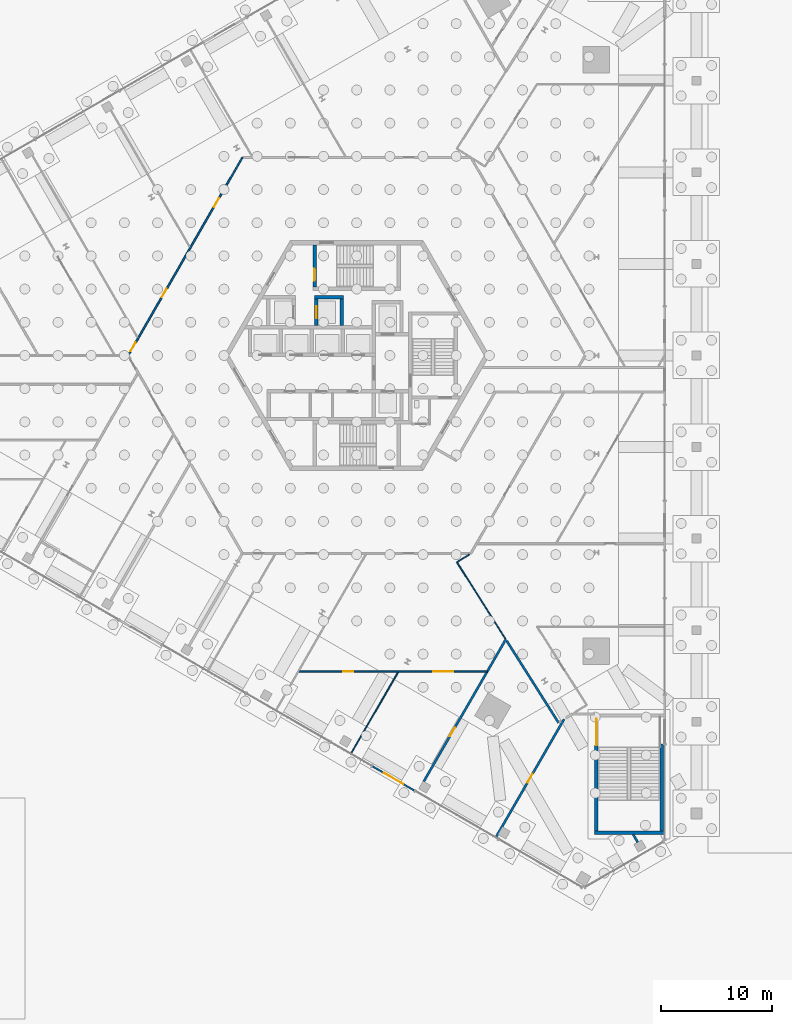
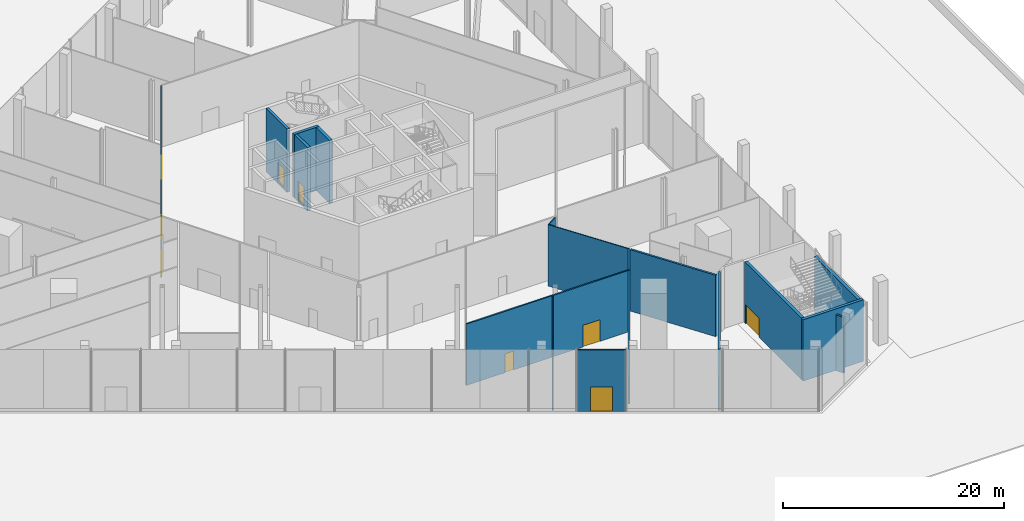
# One storey, part 18 of 27: 17 walls, 11 doors, 11 openings.
"""IFC4 building model written with IfcOpenShell, lengths in metres."""

from ifc_helpers import new_model, si_unit, direction, frame, frame_2d, origin, place, context, subcontext, project, spatial, polyline, rectangle, outline, extrude, source, transform, mapped, material, layer, layer_set, type_object, element, fill, save


model = new_model("IFC4")

# Units and contexts
model_context = context("Model", 3, precision=1e-05, world=origin(), true_north=direction((0.0, 1.0)))
body_context = subcontext(model_context, "Body", "Model", "MODEL_VIEW")
ifc_project = project(units=[si_unit("LENGTHUNIT", "METRE"), si_unit("AREAUNIT", "SQUARE_METRE"), si_unit("VOLUMEUNIT", "CUBIC_METRE"), si_unit("PLANEANGLEUNIT", "RADIAN"), si_unit("MASSUNIT", "GRAM", prefix="KILO")], contexts=[model_context])

# Site, building, storey
site_placement = place(None, origin())
site = spatial("IfcSite", under=ifc_project, at=site_placement, CompositionType="ELEMENT")
building_placement = place(site_placement, origin())
building = spatial("IfcBuilding", under=site, at=building_placement, Name="Triune Harvest Tower", CompositionType="ELEMENT")
storey_placement = place(building_placement, origin())
storey = spatial("IfcBuildingStorey", under=building, at=storey_placement, Name="L00", CompositionType="ELEMENT", Elevation=0.0)

# Wall
ifc_material_1 = material(Name="Concrete 70 MPa", Category="concrete")
ifc_layer_1 = layer(ifc_material_1, 0.300048828125)
ifc_layer_set_1 = layer_set([ifc_layer_1], Name="Concrete 70 MPa")
wall_type_1 = type_object("IfcWallType", Name="Core wall 300", PredefinedType="SHEAR", material=ifc_layer_set_1)
wall_1_placement = place(storey_placement, frame((-3.800048828125, 5.260009765625, -0.199951171875), z_axis=(0.0, 0.0, 1.0), x_axis=(1.0, 0.0, 0.0)))
element("IfcWall", 1, at=wall_1_placement, inside=storey, type_object=wall_type_1, Name="Sv2 north wall", PredefinedType="SHEAR", context=body_context, shape_type="SweptSolid", body=[
    extrude(rectangle(XDim=2.60009765625, YDim=0.300048828125, at=frame_2d((1.300048828125, 0.0))), origin(), (0.0, 0.0, 1.0), 7.0),
])

# Wall, openings, doors
ifc_material_2 = material(Name="Gypsum board on steel studs", Category="steel")
ifc_layer_2 = layer(ifc_material_2, 0.14990234375)
ifc_layer_set_2 = layer_set([ifc_layer_2], Name="Gypsum board on steel studs")
wall_type_2 = type_object("IfcWallType", Name="Fire Partition 150 mm", PredefinedType="PARTITIONING", material=ifc_layer_set_2)
wall_2_placement = place(storey_placement, frame((-5.27587890625, -28.56201171875, 0.0), z_axis=(0.0, 0.0, 1.0), x_axis=(1.0, 0.0, 0.0)))
wall_2 = element("IfcWall", 2, at=wall_2_placement, inside=storey, type_object=wall_type_2, Name="Partition L00 026", PredefinedType="PARTITIONING", context=body_context, shape_type="SweptSolid", body=[
    extrude(rectangle(XDim=17.08740234375, YDim=0.14990234375, at=frame_2d((8.543701171875, 0.0))), origin(), (0.0, 0.0, 1.0), 6.800048828125),
])
opening_1_placement = place(wall_2_placement, frame((12.2119140625, 0.0, 0.0)))
opening_1 = element("IfcOpeningElement", 3, at=opening_1_placement, cuts=wall_2, Name="Opening L00-032", PredefinedType="OPENING", context=body_context, shape_type="SweptSolid", body=[
    extrude(rectangle(XDim=1.800048828125, YDim=2.39990234375, at=frame_2d((0.89990234375, 1.199951171875))), frame((0.0, 0.0849609375, 0.0), z_axis=(0.0, -1.0, 0.0), x_axis=(1.0, 0.0, 0.0)), (0.0, 0.0, 1.0), 0.169921875),
])
opening_2_placement = place(wall_2_placement, frame((4.050048828125, 0.0, 0.0)))
opening_2 = element("IfcOpeningElement", 4, at=opening_2_placement, cuts=wall_2, Name="Opening L00-035", PredefinedType="OPENING", context=body_context, shape_type="SweptSolid", body=[
    extrude(rectangle(XDim=0.89990234375, YDim=2.10009765625, at=frame_2d((0.449951171875, 1.050048828125))), frame((0.0, 0.0849609375, 0.0), z_axis=(0.0, -1.0, 0.0), x_axis=(1.0, 0.0, 0.0)), (0.0, 0.0, 1.0), 0.169921875),
])
ifc_material_3 = material(Name="Timber and steel door set", Category="steel")
door_type_1 = type_object("IfcDoorType", Name="Double leaf door FD30 1800 x 2400", OperationType="DOUBLE_DOOR_SINGLE_SWING", PredefinedType="DOOR", material=ifc_material_3)
door_1_placement = place(opening_1_placement, origin())
door_1 = element("IfcDoor", 5, at=door_1_placement, inside=storey, type_object=door_type_1, Name="Door L00-032 Market Hall 00.33", OperationType="DOUBLE_DOOR_SINGLE_SWING", OverallHeight=2.39990234375, OverallWidth=1.800048828125, PredefinedType="DOOR", context=body_context, shape_type="SweptSolid", body=[
    extrude(rectangle(XDim=1.800048828125, YDim=2.39990234375, at=frame_2d((0.89990234375, 1.199951171875))), frame((0.0, 0.02490234375, 0.0), z_axis=(0.0, -1.0, 0.0), x_axis=(1.0, 0.0, 0.0)), (0.0, 0.0, 1.0), 0.050048828125),
])
fill(opening_1, door_1)
ifc_material_4 = material(Name="Timber and steel door set", Category="steel")
door_type_2 = type_object("IfcDoorType", Name="Single leaf door FD30 right hand 900 x 2100", OperationType="SINGLE_SWING_RIGHT", PredefinedType="DOOR", material=ifc_material_4)
door_2_placement = place(opening_2_placement, origin())
door_2 = element("IfcDoor", 6, at=door_2_placement, inside=storey, type_object=door_type_2, Name="Door L00-035 Dry Store Room 00.36", OperationType="SINGLE_SWING_RIGHT", OverallHeight=2.10009765625, OverallWidth=0.89990234375, PredefinedType="DOOR", context=body_context, shape_type="SweptSolid", body=[
    extrude(rectangle(XDim=0.89990234375, YDim=2.10009765625, at=frame_2d((0.449951171875, 1.050048828125))), frame((0.0, 0.02490234375, 0.0), z_axis=(0.0, -1.0, 0.0), x_axis=(1.0, 0.0, 0.0)), (0.0, 0.0, 1.0), 0.050048828125),
])
fill(opening_2, door_2)

wall_3_placement = place(storey_placement, frame((-20.660400390625, 0.0, 0.0), z_axis=(0.0, 0.0, 1.0), x_axis=(0.500006476997, 0.866021664256, 0.0)))
wall_3 = element("IfcWall", 7, at=wall_3_placement, inside=storey, type_object=wall_type_2, Name="Partition L00 064", PredefinedType="PARTITIONING", context=body_context, shape_type="SweptSolid", body=[
    extrude(rectangle(XDim=20.660400390625, YDim=0.14990234375, at=frame_2d((10.330078125, 0.0))), origin(), (0.0, 0.0, 1.0), 6.800048828125),
])
opening_3_placement = place(wall_3_placement, frame((15.51025390625, 0.0, 0.0)))
opening_3 = element("IfcOpeningElement", 8, at=opening_3_placement, cuts=wall_3, Name="Opening L00-016", PredefinedType="OPENING", context=body_context, shape_type="SweptSolid", body=[
    extrude(rectangle(XDim=0.89990234375, YDim=2.10009765625, at=frame_2d((0.449951171875, 1.050048828125))), frame((0.0, 0.0849609375, 0.0), z_axis=(0.0, -1.0, 0.0), x_axis=(1.0, 0.0, 0.0)), (0.0, 0.0, 1.0), 0.169921875),
])
opening_4_placement = place(wall_3_placement, frame((6.076416015625, 0.0, 0.0)))
opening_4 = element("IfcOpeningElement", 9, at=opening_4_placement, cuts=wall_3, Name="Opening L00-018", PredefinedType="OPENING", context=body_context, shape_type="SweptSolid", body=[
    extrude(rectangle(XDim=0.89990234375, YDim=2.10009765625, at=frame_2d((0.449951171875, 1.050048828125))), frame((0.0, 0.0849609375, 0.0), z_axis=(0.0, -1.0, 0.0), x_axis=(1.0, 0.0, 0.0)), (0.0, 0.0, 1.0), 0.169921875),
])
opening_5_placement = place(wall_3_placement, frame((0.4423828125, 0.0, 0.0)))
opening_5 = element("IfcOpeningElement", 10, at=opening_5_placement, cuts=wall_3, Name="Opening L00-021", PredefinedType="OPENING", context=body_context, shape_type="SweptSolid", body=[
    extrude(rectangle(XDim=0.89990234375, YDim=2.10009765625, at=frame_2d((0.449951171875, 1.050048828125))), frame((0.0, 0.0849609375, 0.0), z_axis=(0.0, -1.0, 0.0), x_axis=(1.0, 0.0, 0.0)), (0.0, 0.0, 1.0), 0.169921875),
])
ifc_material_5 = material(Name="Timber and steel door set", Category="steel")
door_type_3 = type_object("IfcDoorType", Name="Single leaf door FD30 left hand 900 x 2100", OperationType="SINGLE_SWING_LEFT", PredefinedType="DOOR", material=ifc_material_5)
door_3_placement = place(opening_4_placement, origin())
door_3 = element("IfcDoor", 11, at=door_3_placement, inside=storey, type_object=door_type_3, Name="Door L00-018 Dry Store Room 00.19", OperationType="SINGLE_SWING_LEFT", OverallHeight=2.10009765625, OverallWidth=0.89990234375, PredefinedType="DOOR", context=body_context, shape_type="SweptSolid", body=[
    extrude(rectangle(XDim=0.89990234375, YDim=2.10009765625, at=frame_2d((0.449951171875, 1.050048828125))), frame((0.0, 0.02490234375, 0.0), z_axis=(0.0, -1.0, 0.0), x_axis=(1.0, 0.0, 0.0)), (0.0, 0.0, 1.0), 0.050048828125),
])
fill(opening_4, door_3)
door_4_placement = place(opening_5_placement, origin())
door_4 = element("IfcDoor", 12, at=door_4_placement, inside=storey, type_object=door_type_3, Name="Door L00-021 Dry Store Room 00.22", OperationType="SINGLE_SWING_LEFT", OverallHeight=2.10009765625, OverallWidth=0.89990234375, PredefinedType="DOOR", context=body_context, shape_type="SweptSolid", body=[
    extrude(rectangle(XDim=0.89990234375, YDim=2.10009765625, at=frame_2d((0.449951171875, 1.050048828125))), frame((0.0, 0.02490234375, 0.0), z_axis=(0.0, -1.0, 0.0), x_axis=(1.0, 0.0, 0.0)), (0.0, 0.0, 1.0), 0.050048828125),
])
fill(opening_5, door_4)
door_5_placement = place(opening_3_placement, origin())
door_5 = element("IfcDoor", 13, at=door_5_placement, inside=storey, type_object=door_type_2, Name="Door L00-016 Dry Store Room 00.17", OperationType="SINGLE_SWING_RIGHT", OverallHeight=2.10009765625, OverallWidth=0.89990234375, PredefinedType="DOOR", context=body_context, shape_type="SweptSolid", body=[
    extrude(rectangle(XDim=0.89990234375, YDim=2.10009765625, at=frame_2d((0.449951171875, 1.050048828125))), frame((0.0, 0.02490234375, 0.0), z_axis=(0.0, -1.0, 0.0), x_axis=(1.0, 0.0, 0.0)), (0.0, 0.0, 1.0), 0.050048828125),
])
fill(opening_3, door_5)

# Wall
ifc_material_6 = material(Name="Gypsum board on steel studs", Category="steel")
ifc_layer_3 = layer(ifc_material_6, 0.199951171875)
ifc_layer_set_3 = layer_set([ifc_layer_3], Name="Gypsum board on steel studs")
wall_type_3 = type_object("IfcWallType", Name="Fire Wall 200 mm", PredefinedType="PARTITIONING", material=ifc_layer_set_3)
wall_4_placement = place(storey_placement, frame((13.5615234375, -25.796630859375, 0.0), z_axis=(0.0, 0.0, 1.0), x_axis=(0.535108395304, -0.844783407315, 0.0)))
element("IfcWall", 14, at=wall_4_placement, inside=storey, type_object=wall_type_3, Name="Partition L00 019", PredefinedType="PARTITIONING", context=body_context, shape_type="SweptSolid", body=[
    extrude(rectangle(XDim=8.766845703125, YDim=0.199951171875, at=frame_2d((4.38330078125, 0.0))), origin(), (0.0, 0.0, 1.0), 6.800048828125),
])

# Wall, opening, door
wall_5_placement = place(storey_placement, frame((12.612060546875, -43.51513671875, 0.0), z_axis=(0.0, 0.0, 1.0), x_axis=(0.500002073493, 0.866024206649, 0.0)))
wall_5 = element("IfcWall", 15, at=wall_5_placement, inside=storey, type_object=wall_type_3, Name="Partition L00 051", PredefinedType="PARTITIONING", context=body_context, shape_type="SweptSolid", body=[
    extrude(rectangle(XDim=12.26904296875, YDim=0.199951171875, at=frame_2d((6.134521484375, 0.0))), origin(), (0.0, 0.0, 1.0), 6.800048828125),
])
opening_6_placement = place(wall_5_placement, frame((5.675048828125, 0.0, 0.0)))
opening_6 = element("IfcOpeningElement", 16, at=opening_6_placement, cuts=wall_5, Name="Opening L00-038", PredefinedType="OPENING", context=body_context, shape_type="SweptSolid", body=[
    extrude(rectangle(XDim=0.89990234375, YDim=2.10009765625, at=frame_2d((0.449951171875, 1.050048828125))), frame((0.0, 0.10986328125, 0.0), z_axis=(0.0, -1.0, 0.0), x_axis=(1.0, 0.0, 0.0)), (0.0, 0.0, 1.0), 0.219970703125),
])
ifc_material_7 = material(Name="Timber and steel door set", Category="steel")
door_type_4 = type_object("IfcDoorType", Name="Single leaf door FD60 right hand 900 x 2100", OperationType="SINGLE_SWING_RIGHT", PredefinedType="DOOR", material=ifc_material_7)
door_6_placement = place(opening_6_placement, origin())
door_6 = element("IfcDoor", 17, at=door_6_placement, inside=storey, type_object=door_type_4, Name="Door L00-038 Commercial Kitchen 00.39", OperationType="SINGLE_SWING_RIGHT", OverallHeight=2.10009765625, OverallWidth=0.89990234375, PredefinedType="DOOR", context=body_context, shape_type="SweptSolid", body=[
    extrude(rectangle(XDim=0.89990234375, YDim=2.10009765625, at=frame_2d((0.449951171875, 1.050048828125))), frame((0.0, 0.02490234375, 0.0), z_axis=(0.0, -1.0, 0.0), x_axis=(1.0, 0.0, 0.0)), (0.0, 0.0, 1.0), 0.050048828125),
])
fill(opening_6, door_6)

wall_6_placement = place(storey_placement, frame((6.063720703125, -38.517333984375, 0.0), z_axis=(0.0, 0.0, 1.0), x_axis=(0.500001194597, 0.866024714083, 0.0)))
wall_6 = element("IfcWall", 18, at=wall_6_placement, inside=storey, type_object=wall_type_3, Name="Partition L00 052", PredefinedType="PARTITIONING", context=body_context, shape_type="SweptSolid", body=[
    extrude(rectangle(XDim=14.8349609375, YDim=0.199951171875, at=frame_2d((7.41748046875, 0.0))), origin(), (0.0, 0.0, 1.0), 6.800048828125),
])
opening_7_placement = place(wall_6_placement, frame((4.720703125, 0.0, 0.0)))
opening_7 = element("IfcOpeningElement", 19, at=opening_7_placement, cuts=wall_6, Name="Opening L00-037", PredefinedType="OPENING", context=body_context, shape_type="SweptSolid", body=[
    extrude(rectangle(XDim=0.89990234375, YDim=2.10009765625, at=frame_2d((0.449951171875, 1.050048828125))), frame((0.0, 0.10986328125, 0.0), z_axis=(0.0, -1.0, 0.0), x_axis=(1.0, 0.0, 0.0)), (0.0, 0.0, 1.0), 0.219970703125),
])
door_7_placement = place(opening_7_placement, origin())
door_7 = element("IfcDoor", 20, at=door_7_placement, inside=storey, type_object=door_type_4, Name="Door L00-037 Commercial Kitchen 00.38", OperationType="SINGLE_SWING_RIGHT", OverallHeight=2.10009765625, OverallWidth=0.89990234375, PredefinedType="DOOR", context=body_context, shape_type="SweptSolid", body=[
    extrude(rectangle(XDim=0.89990234375, YDim=2.10009765625, at=frame_2d((0.449951171875, 1.050048828125))), frame((0.0, 0.02490234375, 0.0), z_axis=(0.0, -1.0, 0.0), x_axis=(1.0, 0.0, 0.0)), (0.0, 0.0, 1.0), 0.050048828125),
])
fill(opening_7, door_7)

# Walls
ifc_material_8 = material(Name="Gypsum board on steel studs", Category="steel")
ifc_layer_4 = layer(ifc_material_8, 0.10009765625)
ifc_layer_set_4 = layer_set([ifc_layer_4], Name="Gypsum board on steel studs")
wall_type_4 = type_object("IfcWallType", Name="Partition 100 mm", PredefinedType="PARTITIONING", material=ifc_layer_set_4)
wall_7_placement = place(storey_placement, frame((9.06298828125, -18.695068359375, 0.0), z_axis=(0.0, 0.0, 1.0), x_axis=(0.53511294812, -0.844780523423, 0.0)))
element("IfcWall", 21, at=wall_7_placement, inside=storey, type_object=wall_type_4, Name="Partition L00 018", PredefinedType="PARTITIONING", context=body_context, shape_type="SweptSolid", body=[
    extrude(rectangle(XDim=8.206298828125, YDim=0.10009765625, at=frame_2d((4.10302734375, 0.0))), origin(), (0.0, 0.0, 1.0), 6.800048828125),
])
wall_8_placement = place(storey_placement, frame((9.08837890625, -18.678955078125, 0.0), z_axis=(0.0, 0.0, 1.0), x_axis=(0.844696427881, 0.53524568632, 0.0)))
element("IfcWall", 22, at=wall_8_placement, inside=storey, type_object=wall_type_4, Name="Partition L00 045", PredefinedType="PARTITIONING", context=body_context, shape_type="SweptSolid", body=[
    extrude(rectangle(XDim=1.2900390625, YDim=0.10009765625, at=frame_2d((0.64501953125, 0.0))), origin(), (0.0, 0.0, 1.0), 6.800048828125),
])
wall_9_placement = place(storey_placement, frame((-0.482421875, -35.955078125, 0.0), z_axis=(0.0, 0.0, 1.0), x_axis=(0.500018509623, 0.866014716985, 0.0)))
element("IfcWall", 23, at=wall_9_placement, inside=storey, type_object=wall_type_4, Name="Partition L00 055", PredefinedType="PARTITIONING", context=body_context, shape_type="SweptSolid", body=[
    extrude(rectangle(XDim=8.447021484375, YDim=0.10009765625, at=frame_2d((4.2236328125, 0.0))), origin(), (0.0, 0.0, 1.0), 6.800048828125),
])

# Wall, opening, door
shared_shape_1 = source(origin(), body_context, "Body", "SweptSolid", [
    extrude(outline(polyline([(0.0, -0.14990234375), (0.0, 0.14990234375), (3.80419921875, 0.14990234375), (3.80419921875, -0.14990234375), (0.0, -0.14990234375)])), origin(), (0.0, 0.0, 1.0), 7.0),
])
wall_10_placement = place(storey_placement, frame((-3.800048828125, 6.18994140625, -0.199951171875), z_axis=(0.0, 0.0, 1.0), x_axis=(0.0, 1.0, 0.0)))
wall_10 = element("IfcWall", 24, at=wall_10_placement, inside=storey, type_object=wall_type_1, Name="Stair n west wall", PredefinedType="SHEAR", context=body_context, shape_type="MappedRepresentation", body=[
    mapped(shared_shape_1, transform((0.0, 0.0, 0.0), scale=1.0)),
])
opening_8_placement = place(wall_10_placement, frame((0.56005859375, 0.0, 0.199951171875)))
opening_8 = element("IfcOpeningElement", 25, at=opening_8_placement, cuts=wall_10, Name="Opening CD-S1L", PredefinedType="OPENING", context=body_context, shape_type="SweptSolid", body=[
    extrude(rectangle(XDim=1.10009765625, YDim=2.10009765625, at=frame_2d((0.550048828125, 1.050048828125))), frame((0.0, 0.16015625, 0.0), z_axis=(0.0, -1.0, 0.0), x_axis=(1.0, 0.0, 0.0)), (0.0, 0.0, 1.0), 0.320068359375),
])
ifc_material_9 = material(Name="Steel S235", Category="steel")
door_type_5 = type_object("IfcDoorType", Name="Stair door 1100 FD120", OperationType="SINGLE_SWING_LEFT", PredefinedType="DOOR", material=ifc_material_9)
door_8_placement = place(opening_8_placement, frame((1.10009765625, 0.0, 0.0), z_axis=(0.0, 0.0, 1.0), x_axis=(-1.0, 0.0, 0.0)))
door_8 = element("IfcDoor", 26, at=door_8_placement, inside=storey, type_object=door_type_5, Name="Door CD-S1L", OperationType="SINGLE_SWING_RIGHT", OverallHeight=2.10009765625, OverallWidth=1.10009765625, PredefinedType="DOOR", context=body_context, shape_type="SweptSolid", body=[
    extrude(rectangle(XDim=1.10009765625, YDim=2.10009765625, at=frame_2d((0.550048828125, 1.050048828125))), frame((0.0, 0.02490234375, 0.0), z_axis=(0.0, -1.0, 0.0), x_axis=(1.0, 0.0, 0.0)), (0.0, 0.0, 1.0), 0.050048828125),
])
fill(opening_8, door_8)

shared_shape_2 = source(origin(), body_context, "Body", "SweptSolid", [
    extrude(rectangle(XDim=2.400146484375, YDim=0.300048828125, at=frame_2d((1.2001953125, 0.0))), origin(), (0.0, 0.0, 1.0), 7.0),
])
wall_11_placement = place(storey_placement, frame((-3.64990234375, 2.7099609375, -0.199951171875), z_axis=(0.0, 0.0, 1.0), x_axis=(0.0, 1.0, 0.0)))
wall_11 = element("IfcWall", 27, at=wall_11_placement, inside=storey, type_object=wall_type_1, Name="Sv2 west wall", PredefinedType="SHEAR", context=body_context, shape_type="MappedRepresentation", body=[
    mapped(shared_shape_2, transform((0.0, 0.0, 0.0), scale=1.0)),
])
opening_9_placement = place(wall_11_placement, frame((0.64990234375, 0.0, 0.199951171875)))
opening_9 = element("IfcOpeningElement", 28, at=opening_9_placement, cuts=wall_11, Name="Opening LD-SV2-00", PredefinedType="OPENING", context=body_context, shape_type="SweptSolid", body=[
    extrude(rectangle(XDim=1.10009765625, YDim=2.10009765625, at=frame_2d((0.550048828125, 1.050048828125))), frame((0.0, 0.16015625, 0.0), z_axis=(0.0, -1.0, 0.0), x_axis=(1.0, 0.0, 0.0)), (0.0, 0.0, 1.0), 0.320068359375),
])
ifc_material_10 = material(Name="Stainless steel AISI 304", Category="steel")
door_type_6 = type_object("IfcDoorType", Name="Landing door 1100 x 2100", OperationType="DOUBLE_DOOR_SLIDING", PredefinedType="DOOR", material=ifc_material_10)
door_9_placement = place(opening_9_placement, origin())
door_9 = element("IfcDoor", 29, at=door_9_placement, inside=storey, type_object=door_type_6, Name="Door LD-SV2-00", OperationType="DOUBLE_DOOR_SLIDING", OverallHeight=2.10009765625, OverallWidth=1.10009765625, PredefinedType="DOOR", context=body_context, shape_type="SweptSolid", body=[
    extrude(rectangle(XDim=1.10009765625, YDim=2.10009765625, at=frame_2d((0.550048828125, 1.050048828125))), frame((0.0, 0.02490234375, 0.0), z_axis=(0.0, -1.0, 0.0), x_axis=(1.0, 0.0, 0.0)), (0.0, 0.0, 1.0), 0.050048828125),
])
fill(opening_9, door_9)

# Wall
wall_12_placement = place(storey_placement, frame((-1.35009765625, 2.7099609375, -0.199951171875), z_axis=(0.0, 0.0, 1.0), x_axis=(0.0, 1.0, 0.0)))
element("IfcWall", 30, at=wall_12_placement, inside=storey, type_object=wall_type_1, Name="Sv2 east wall", PredefinedType="SHEAR", context=body_context, shape_type="MappedRepresentation", body=[
    mapped(shared_shape_2, transform((0.0, 0.0, 0.0), scale=1.0)),
])

# Wall, opening, door
shared_shape_3 = source(origin(), body_context, "Body", "SweptSolid", [
    extrude(rectangle(XDim=10.300048828125, YDim=0.300048828125, at=frame_2d((5.14990234375, 0.0))), origin(), (0.0, 0.0, 1.0), 6.800048828125),
])
wall_13_placement = place(storey_placement, frame((21.669921875, -43.0, 0.0), z_axis=(0.0, 0.0, 1.0), x_axis=(0.0, 1.0, 0.0)))
wall_13 = element("IfcWall", 31, at=wall_13_placement, inside=storey, type_object=wall_type_1, Name="Podium stair ps 2 west wall", PredefinedType="SHEAR", context=body_context, shape_type="MappedRepresentation", body=[
    mapped(shared_shape_3, transform((0.0, 0.0, 0.0), scale=1.0)),
])
opening_10_placement = place(wall_13_placement, frame((7.75, 0.0, 0.0)))
opening_10 = element("IfcOpeningElement", 32, at=opening_10_placement, cuts=wall_13, Name="Opening PS-2-00A", PredefinedType="OPENING", context=body_context, shape_type="SweptSolid", body=[
    extrude(rectangle(XDim=2.39990234375, YDim=2.10009765625, at=frame_2d((1.199951171875, 1.050048828125))), frame((0.0, 0.16015625, 0.0), z_axis=(0.0, -1.0, 0.0), x_axis=(1.0, 0.0, 0.0)), (0.0, 0.0, 1.0), 0.320068359375),
])
ifc_material_11 = material(Name="Steel S235", Category="steel")
door_type_7 = type_object("IfcDoorType", Name="Stair door 2400 FD120", OperationType="DOUBLE_DOOR_DOUBLE_SWING", PredefinedType="DOOR", material=ifc_material_11)
door_10_placement = place(opening_10_placement, origin())
door_10 = element("IfcDoor", 33, at=door_10_placement, inside=storey, type_object=door_type_7, Name="Door PS-2-00A", OperationType="DOUBLE_DOOR_DOUBLE_SWING", OverallHeight=2.10009765625, OverallWidth=2.39990234375, PredefinedType="DOOR", context=body_context, shape_type="SweptSolid", body=[
    extrude(rectangle(XDim=2.39990234375, YDim=2.10009765625, at=frame_2d((1.199951171875, 1.050048828125))), frame((0.0, 0.02490234375, 0.0), z_axis=(0.0, -1.0, 0.0), x_axis=(1.0, 0.0, 0.0)), (0.0, 0.0, 1.0), 0.050048828125),
])
fill(opening_10, door_10)

# Walls
shared_shape_4 = source(origin(), body_context, "Body", "SweptSolid", [
    extrude(rectangle(XDim=7.8798828125, YDim=0.300048828125, at=frame_2d((3.93994140625, 0.0))), origin(), (0.0, 0.0, 1.0), 6.800048828125),
])
wall_14_placement = place(storey_placement, frame((27.570068359375, -43.0, 0.0), z_axis=(0.0, 0.0, 1.0), x_axis=(0.0, 1.0, 0.0)))
element("IfcWall", 34, at=wall_14_placement, inside=storey, type_object=wall_type_1, Name="Podium stair ps 2 east wall", PredefinedType="SHEAR", context=body_context, shape_type="MappedRepresentation", body=[
    mapped(shared_shape_4, transform((0.0, 0.0, 0.0), scale=1.0)),
])
shared_shape_5 = source(origin(), body_context, "Body", "SweptSolid", [
    extrude(rectangle(XDim=6.31005859375, YDim=0.300048828125, at=frame_2d((3.155029296875, 0.0))), origin(), (0.0, 0.0, 1.0), 6.800048828125),
])
wall_15_placement = place(storey_placement, frame((21.52001953125, -43.14990234375, 0.0), z_axis=(0.0, 0.0, 1.0), x_axis=(1.0, 0.0, 0.0)))
element("IfcWall", 35, at=wall_15_placement, inside=storey, type_object=wall_type_1, Name="Podium stair ps 2 south wall", PredefinedType="SHEAR", context=body_context, shape_type="MappedRepresentation", body=[
    mapped(shared_shape_5, transform((0.0, 0.0, 0.0), scale=1.0)),
])

# Wall, opening, door
ifc_material_12 = material(Name="Aluminium bronze anodised", Category="aluminium")
ifc_layer_5 = layer(ifc_material_12, 0.14990234375)
ifc_layer_set_5 = layer_set([ifc_layer_5], Name="Aluminium bronze anodised")
wall_type_5 = type_object("IfcWallType", Name="WW-1 entrance wall", PredefinedType="ELEMENTEDWALL", material=ifc_layer_set_5)
shared_shape_6 = source(origin(), body_context, "Body", "SweptSolid", [
    extrude(rectangle(XDim=4.40283203125, YDim=0.14990234375, at=frame_2d((2.201416015625, 0.0))), origin(), (0.0, 0.0, 1.0), 6.800048828125),
])
wall_16_placement = place(storey_placement, frame((5.244140625, -39.347900390625, 0.0), z_axis=(0.0, 0.0, 1.0), x_axis=(-0.866026760492, 0.499997650106, 0.0)))
wall_16 = element("IfcWall", 36, at=wall_16_placement, inside=storey, type_object=wall_type_5, Name="WW-1 PD-F5 L00.15", PredefinedType="ELEMENTEDWALL", context=body_context, shape_type="MappedRepresentation", body=[
    mapped(shared_shape_6, transform((0.0, 0.0, 0.0), scale=1.0)),
])
opening_11_placement = place(wall_16_placement, frame((1.201416015625, 0.0, 0.0)))
opening_11 = element("IfcOpeningElement", 37, at=opening_11_placement, cuts=wall_16, Name="Opening L00-E11", PredefinedType="OPENING", context=body_context, shape_type="SweptSolid", body=[
    extrude(rectangle(XDim=2.0, YDim=2.699951171875, at=frame_2d((1.0, 1.35009765625))), frame((0.0, 0.0849609375, 0.0), z_axis=(0.0, -1.0, 0.0), x_axis=(1.0, 0.0, 0.0)), (0.0, 0.0, 1.0), 0.169921875),
])
ifc_material_13 = material(Name="Glass", Category="glass")
door_type_8 = type_object("IfcDoorType", Name="DE-1 glazed entrance door 2000 x 2700", OperationType="DOUBLE_DOOR_SINGLE_SWING", PredefinedType="DOOR", material=ifc_material_13)
door_11_placement = place(opening_11_placement, origin())
door_11 = element("IfcDoor", 38, at=door_11_placement, inside=storey, type_object=door_type_8, Name="Door L00-E11", OperationType="DOUBLE_DOOR_SINGLE_SWING", OverallHeight=2.699951171875, OverallWidth=2.0, PredefinedType="DOOR", context=body_context, shape_type="SweptSolid", body=[
    extrude(rectangle(XDim=2.0, YDim=2.699951171875, at=frame_2d((1.0, 1.35009765625))), frame((0.0, 0.02490234375, 0.0), z_axis=(0.0, -1.0, 0.0), x_axis=(1.0, 0.0, 0.0)), (0.0, 0.0, 1.0), 0.050048828125),
])
fill(opening_11, door_11)

# Wall
shared_shape_7 = source(origin(), body_context, "Body", "SweptSolid", [
    extrude(rectangle(XDim=0.822265625, YDim=0.199951171875, at=frame_2d((0.4111328125, 0.0))), origin(), (0.0, 0.0, 1.0), 6.187744140625),
])
wall_17_placement = place(storey_placement, frame((24.999267578125, -43.300048828125, 0.0), z_axis=(0.0, 0.0, 1.0), x_axis=(0.499970888758, -0.866042210515, 0.0)))
element("IfcWall", 39, at=wall_17_placement, inside=storey, type_object=wall_type_3, Name="Partition L00 008", PredefinedType="PARTITIONING", context=body_context, shape_type="MappedRepresentation", body=[
    mapped(shared_shape_7, transform((0.0, 0.0, 0.0), scale=1.0)),
])

save(model, "model.ifc")
